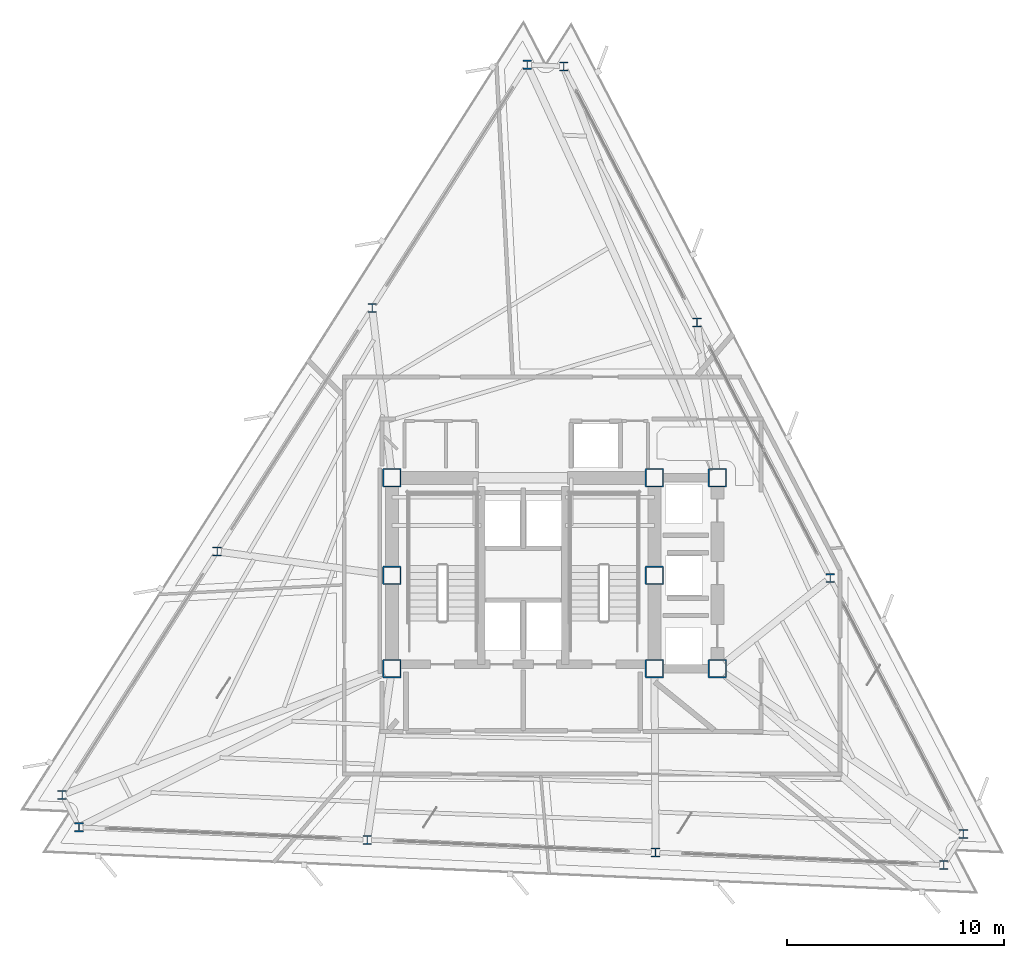
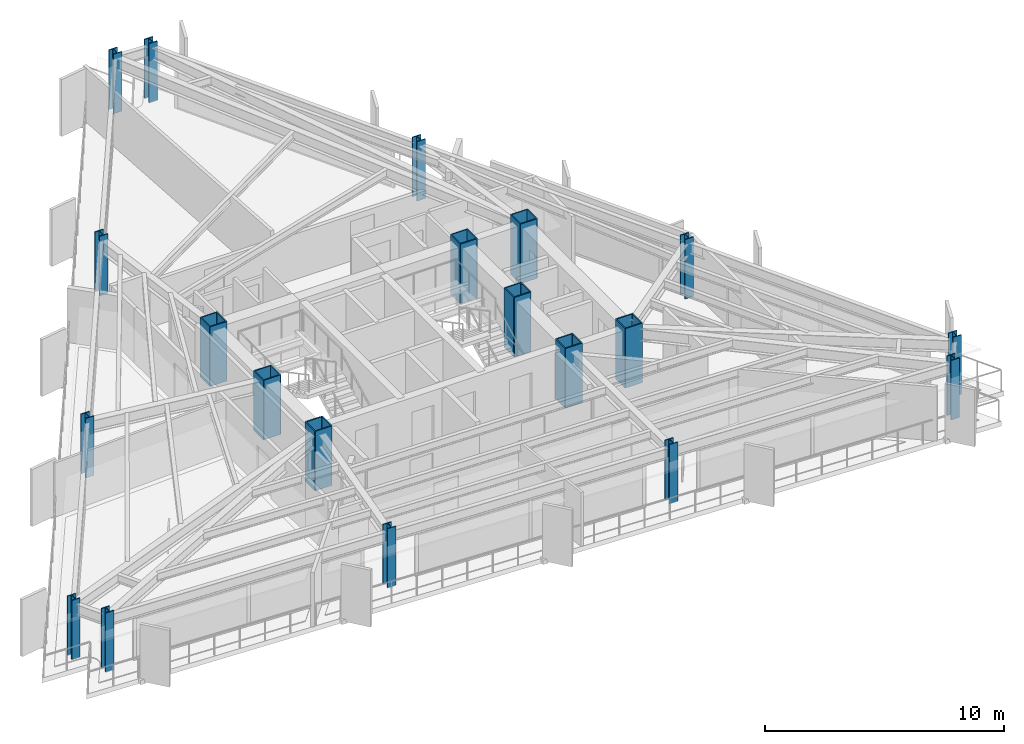
# One storey, part 1 of 12: 20 columns.
"""IFC4 building model written with IfcOpenShell, lengths in metres."""

import ifcopenshell
import ifcopenshell.guid

model = None  # the IFC model being written
_history = None  # IfcOwnerHistory: only IFC2X3 demands one
_inside = {}  # id of a spatial element -> (the spatial element, [elements in it])
_under = {}  # id of a project, library or spatial element -> (it, [spatial elements below it])
_declared = {}  # id of a project -> (the project, [libraries it declares])
_typed = {}  # id of a type object -> (the type object, [elements of that type])
_made_of = {}  # id of a material, layer set ... -> (it, [elements and type objects made of it])


def new_model(schema):
    """Start an empty IFC model of exactly this schema.

    Asked for "IFC4X3", IfcOpenShell would pick the latest addendum, in which some entities
    have other attributes; the version numbers below select the first issue.
    IFC2X3 requires an IfcOwnerHistory on every rooted entity: one is made here for all.
    """
    global model, _history
    if schema == "IFC4X3":
        model = ifcopenshell.file(schema_version=(4, 3, 0, 0))
    else:
        model = ifcopenshell.file(schema=schema)
    _inside.clear()
    _under.clear()
    _declared.clear()
    _typed.clear()
    _made_of.clear()
    _history = None
    if model.schema == "IFC2X3":
        org = make("IfcOrganization", Name="unknown")
        user = make(
            "IfcPersonAndOrganization",
            ThePerson=make("IfcPerson", FamilyName="unknown"),
            TheOrganization=org,
        )
        app = make(
            "IfcApplication",
            ApplicationDeveloper=org,
            Version="unknown",
            ApplicationFullName="unknown",
            ApplicationIdentifier="unknown",
        )
        _history = make(
            "IfcOwnerHistory",
            OwningUser=user,
            OwningApplication=app,
            ChangeAction="ADDED",
            CreationDate=0,
        )
    return model


def make(cls, **values):
    """One entity of the class cls with the attributes given. An attribute that is None is left unset."""
    return model.create_entity(
        cls, **{name: value for name, value in values.items() if value is not None}
    )


def rooted(cls, **values):
    """An entity with a GlobalId (a new one), such as an element, a storey or a relation."""
    return make(cls, GlobalId=ifcopenshell.guid.new(), OwnerHistory=_history, **values)


def si_unit(unit_type, name, prefix=None):
    """IfcSIUnit, for example si_unit("LENGTHUNIT", "METRE", prefix="MILLI")."""
    return make("IfcSIUnit", UnitType=unit_type, Prefix=prefix, Name=name)


def assignment(units):
    """IfcUnitAssignment: the units of a project."""
    return None if units is None else make("IfcUnitAssignment", Units=units)


def point(xyz):
    """IfcCartesianPoint."""
    return None if xyz is None else make("IfcCartesianPoint", Coordinates=xyz)


def direction(xyz):
    """IfcDirection."""
    return None if xyz is None else make("IfcDirection", DirectionRatios=xyz)


def frame(location, z_axis=None, x_axis=None):
    """IfcAxis2Placement3D, a coordinate frame: its origin and axes. An axis left out is left unset."""
    return make(
        "IfcAxis2Placement3D",
        Location=point(location),
        Axis=direction(z_axis),
        RefDirection=direction(x_axis),
    )


def frame_2d(location, x_axis=None):
    """IfcAxis2Placement2D, a coordinate frame in the plane: its origin and x axis."""
    return make(
        "IfcAxis2Placement2D", Location=point(location), RefDirection=direction(x_axis)
    )


def origin():
    """The frame at (0, 0, 0) with its axes left unset."""
    return frame((0.0, 0.0, 0.0))


def origin_2d():
    """The frame at (0, 0) in the plane with its x axis left unset."""
    return frame_2d((0.0, 0.0))


def place(relative_to, where):
    """IfcLocalPlacement: puts the frame where relative to a parent placement (None: the world)."""
    return make(
        "IfcLocalPlacement", PlacementRelTo=relative_to, RelativePlacement=where
    )


def context(
    kind, dimensions, precision=None, world=None, true_north=None, identifier=None
):
    """IfcGeometricRepresentationContext, for example the 3D "Model" context."""
    return make(
        "IfcGeometricRepresentationContext",
        ContextIdentifier=identifier,
        ContextType=kind,
        CoordinateSpaceDimension=dimensions,
        Precision=precision,
        WorldCoordinateSystem=world,
        TrueNorth=true_north,
    )


def subcontext(parent, identifier, kind, view, scale=None):
    """IfcGeometricRepresentationSubContext, for example "Body" below "Model"."""
    return make(
        "IfcGeometricRepresentationSubContext",
        ContextIdentifier=identifier,
        ContextType=kind,
        ParentContext=parent,
        TargetScale=scale,
        TargetView=view,
    )


def project(units=None, contexts=None):
    """IfcProject with its units and contexts."""
    return rooted(
        "IfcProject",
        Name="project",
        RepresentationContexts=contexts,
        UnitsInContext=assignment(units),
    )


def spatial(cls, under=None, at=None, **own):
    """A site, building, storey or space (cls), placed at a placement, below another one or the project."""
    s = rooted(cls, ObjectPlacement=at, **own)
    if under is not None:
        _under.setdefault(under.id(), (under, []))[1].append(s)
    return s


def profile(cls, at=None, kind="AREA", **sizes):
    """A parametric profile (cls). Its sizes go by their IFC names, for example OverallWidth=200.0."""
    return make(cls, ProfileType=kind, Position=at, **sizes)


def hollow_rectangle(**sizes):
    """IfcRectangleHollowProfileDef."""
    return profile("IfcRectangleHollowProfileDef", **sizes)


def i_section(**sizes):
    """IfcIShapeProfileDef."""
    return profile("IfcIShapeProfileDef", **sizes)


def extrude(swept, where, along, depth):
    """IfcExtrudedAreaSolid: the profile swept, set in the frame where, extruded along a direction by depth."""
    return make(
        "IfcExtrudedAreaSolid",
        SweptArea=swept,
        Position=where,
        ExtrudedDirection=direction(along),
        Depth=depth,
    )


def shape(context_of_items, identifier, shape_type, items):
    """IfcShapeRepresentation: the items that make up one representation, for example the "Body"."""
    return make(
        "IfcShapeRepresentation",
        ContextOfItems=context_of_items,
        RepresentationIdentifier=identifier,
        RepresentationType=shape_type,
        Items=items,
    )


def material(Name=None, Category=None):
    """IfcMaterial."""
    return make("IfcMaterial", Name=Name, Category=Category)


def material_profile(
    of_material, cross_section, Name=None, Category=None, Priority=None
):
    """IfcMaterialProfile: a cross section and its material."""
    return make(
        "IfcMaterialProfile",
        Name=Name,
        Material=of_material,
        Profile=cross_section,
        Priority=Priority,
        Category=Category,
    )


def profile_set(profiles, Name=None, composite=None):
    """IfcMaterialProfileSet."""
    return make(
        "IfcMaterialProfileSet",
        Name=Name,
        MaterialProfiles=profiles,
        CompositeProfile=composite,
    )


def made_of(thing, what):
    """Note that an element or type object is made of a material, layer set ...; save() writes the relation."""
    if what is not None:
        _made_of.setdefault(what.id(), (what, []))[1].append(thing)
    return thing


def type_object(cls, material=None, **own):
    """A type object (cls), such as IfcWallType, which elements share."""
    return made_of(rooted(cls, **own), material)


def element(
    cls,
    number,
    at=None,
    inside=None,
    cuts=None,
    type_object=None,
    material=None,
    context=None,
    identifier="Body",
    shape_type=None,
    held_by="IfcProductDefinitionShape",
    body=None,
    shapes=None,
    **own,
):
    """One element of the class cls, such as IfcWall. Its Tag is "e" and its number.

    at: its placement. inside: the storey or other place that contains it. cuts: it is an
    opening in that element (IfcRelVoidsElement). A single representation is given by context,
    identifier, shape_type and body (its items); several are given by shapes. held_by: the class
    of the entity that holds the representations. save() writes the other relations.
    """
    e = rooted(cls, Tag="e%d" % number, ObjectPlacement=at, **own)
    if body is not None:
        shapes = [shape(context, identifier, shape_type, body)]
    if shapes is not None:
        e.Representation = make(held_by, Representations=shapes)
    if inside is not None:
        _inside.setdefault(inside.id(), (inside, []))[1].append(e)
    if cuts is not None:
        rooted(
            "IfcRelVoidsElement", RelatingBuildingElement=cuts, RelatedOpeningElement=e
        )
    if type_object is not None:
        _typed.setdefault(type_object.id(), (type_object, []))[1].append(e)
    return made_of(e, material)


def aggregate(whole, parts):
    """IfcRelAggregates: a whole, such as a stair, and the parts it consists of."""
    return rooted("IfcRelAggregates", RelatingObject=whole, RelatedObjects=parts)


def save(model, path):
    """Write the relations noted so far, then the file.

    IfcRelAggregates (storeys below a building ...), IfcRelContainedInSpatialStructure (elements
    in a storey), IfcRelDefinesByType, IfcRelAssociatesMaterial and IfcRelDeclares: one each for
    every whole, place, type object, material and project.
    """
    for whole, parts in _under.values():
        aggregate(whole, parts)
    for where, things in _inside.values():
        rooted(
            "IfcRelContainedInSpatialStructure",
            RelatedElements=things,
            RelatingStructure=where,
        )
    for kind, things in _typed.values():
        rooted("IfcRelDefinesByType", RelatedObjects=things, RelatingType=kind)
    for what, things in _made_of.values():
        rooted("IfcRelAssociatesMaterial", RelatedObjects=things, RelatingMaterial=what)
    for by, libraries in _declared.values():
        rooted("IfcRelDeclares", RelatingContext=by, RelatedDefinitions=libraries)
    model.write(path)


model = new_model("IFC4")

# Units and contexts
model_context = context("Model", 3, precision=1e-05, world=origin(), true_north=direction((0.0, 1.0)))
body_context = subcontext(model_context, "Body", "Model", "MODEL_VIEW")
ifc_project = project(units=[si_unit("LENGTHUNIT", "METRE"), si_unit("AREAUNIT", "SQUARE_METRE"), si_unit("VOLUMEUNIT", "CUBIC_METRE"), si_unit("PLANEANGLEUNIT", "RADIAN"), si_unit("MASSUNIT", "GRAM", prefix="KILO")], contexts=[model_context])

# Site, building, storey
site_placement = place(None, origin())
site = spatial("IfcSite", under=ifc_project, at=site_placement, CompositionType="ELEMENT")
building_placement = place(site_placement, origin())
building = spatial("IfcBuilding", under=site, at=building_placement, Name="Rocaltana Carrier Exchange", CompositionType="ELEMENT")
storey_placement = place(building_placement, frame((0.0, 0.0, 132.0)))
storey = spatial("IfcBuildingStorey", under=building, at=storey_placement, Name="L41", CompositionType="ELEMENT", Elevation=132.0)

# Columns
ifc_material_1 = material(Name="Steel S460", Category="steel")
ifc_material_profile_1 = material_profile(ifc_material_1, hollow_rectangle(XDim=0.85009765625, YDim=0.85009765625, WallThickness=0.054931640625, InnerFilletRadius=0.02001953125, OuterFilletRadius=0.0400390625, at=origin_2d()), Name="BOX850X850X55")
ifc_profile_set_1 = profile_set([ifc_material_profile_1], Name="Steel S460")
column_type_1 = type_object("IfcColumnType", Name="Core Mega-Column BOX850", PredefinedType="COLUMN", material=ifc_profile_set_1)
for number, where, z_axis, x_axis, name in (
    (1, (-6.050048828125, 4.5, 0.0), (0.0, 0.0, 1.0), (1.0, 0.0, 0.0), "L41 Core Mega-Column MC1"),
    (2, (6.050048828125, 4.5, 0.0), (0.0, 0.0, 1.0), (1.0, 0.0, 0.0), "L41 Core Mega-Column MC2"),
    (3, (-6.050048828125, 0.0, 0.0), (0.0, 0.0, 1.0), (1.0, 0.0, 0.0), "L41 Core Mega-Column MC3"),
    (4, (6.050048828125, 0.0, 0.0), (0.0, 0.0, 1.0), (1.0, 0.0, 0.0), "L41 Core Mega-Column MC4"),
    (5, (-6.050048828125, -4.300048828125, 0.0), (0.0, 0.0, 1.0), (1.0, 0.0, 0.0), "L41 Core Mega-Column MC5"),
    (6, (6.050048828125, -4.300048828125, 0.0), (0.0, 0.0, 1.0), (1.0, 0.0, 0.0), "L41 Core Mega-Column MC6"),
    (7, (8.949951171875, 4.5, 0.0), (0.0, 0.0, 1.0), (1.0, 0.0, 0.0), "L41 East Core Column EC1"),
    (8, (8.949951171875, -4.300048828125, 0.0), (0.0, 0.0, 1.0), (1.0, 0.0, 0.0), "L41 East Core Column EC2"),
):
    element("IfcColumn", number, at=place(storey_placement, frame(where, z_axis=z_axis, x_axis=x_axis)), inside=storey, type_object=column_type_1, Name=name, PredefinedType="COLUMN", context=body_context, shape_type="SweptSolid", body=[
        extrude(hollow_rectangle(XDim=0.85009765625, YDim=0.85009765625, WallThickness=0.054931640625, InnerFilletRadius=0.02001953125, OuterFilletRadius=0.0400390625, at=origin_2d()), origin(), (0.0, 0.0, 1.0), 3.0400390625),
    ])
ifc_material_2 = material(Name="Steel S355", Category="steel")
ifc_material_profile_2 = material_profile(ifc_material_2, i_section(OverallWidth=0.406005859375, OverallDepth=0.416015625, WebThickness=0.02978515625, FlangeThickness=0.048095703125, FilletRadius=0.02001953125, at=origin_2d()), Name="W14X257")
ifc_profile_set_2 = profile_set([ifc_material_profile_2], Name="Steel S355")
column_type_2 = type_object("IfcColumnType", Name="Perimeter Column W14X257", PredefinedType="COLUMN", material=ifc_profile_set_2)
for number, where, z_axis, x_axis, name in (
    (9, (20.29150390625, -11.92822265625, 0.0), (0.0, 0.0, 1.0), (1.0, 0.0, 0.0), "L41 Perimeter Column TC01"),
    (10, (14.150146484375, -0.130859375, 0.0), (0.0, 0.0, 1.0), (1.0, 0.0, 0.0), "L41 Perimeter Column TC02"),
    (11, (8.009033203125, 11.666259765625, 0.0), (0.0, 0.0, 1.0), (1.0, 0.0, 0.0), "L41 Perimeter Column TC03"),
    (12, (1.86767578125, 23.46337890625, 0.0), (0.0, 0.0, 1.0), (1.0, 0.0, 0.0), "L41 Perimeter Column TC04"),
    (13, (0.184326171875, 23.537109375, 0.0), (0.0, 0.0, 1.0), (1.0, 0.0, 0.0), "L41 Perimeter Column TC05"),
    (14, (-6.961669921875, 12.31982421875, 0.0), (0.0, 0.0, 1.0), (1.0, 0.0, 0.0), "L41 Perimeter Column TC06"),
    (15, (-14.10791015625, 1.102783203125, 0.0), (0.0, 0.0, 1.0), (1.0, 0.0, 0.0), "L41 Perimeter Column TC07"),
    (16, (-21.25390625, -10.1142578125, 0.0), (0.0, 0.0, 1.0), (1.0, 0.0, 0.0), "L41 Perimeter Column TC08"),
    (17, (-20.475830078125, -11.60888671875, 0.0), (0.0, 0.0, 1.0), (1.0, 0.0, 0.0), "L41 Perimeter Column TC09"),
    (18, (-7.1884765625, -12.18896484375, 0.0), (0.0, 0.0, 1.0), (1.0, 0.0, 0.0), "L41 Perimeter Column TC10"),
    (19, (6.098876953125, -12.76904296875, 0.0), (0.0, 0.0, 1.0), (1.0, 0.0, 0.0), "L41 Perimeter Column TC11"),
    (20, (19.38623046875, -13.349365234375, 0.0), (0.0, 0.0, 1.0), (1.0, 0.0, 0.0), "L41 Perimeter Column TC12"),
):
    element("IfcColumn", number, at=place(storey_placement, frame(where, z_axis=z_axis, x_axis=x_axis)), inside=storey, type_object=column_type_2, Name=name, PredefinedType="COLUMN", context=body_context, shape_type="SweptSolid", body=[
        extrude(i_section(OverallWidth=0.406005859375, OverallDepth=0.416015625, WebThickness=0.02978515625, FlangeThickness=0.048095703125, FilletRadius=0.02001953125, at=origin_2d()), origin(), (0.0, 0.0, 1.0), 3.0400390625),
    ])

save(model, "model.ifc")
